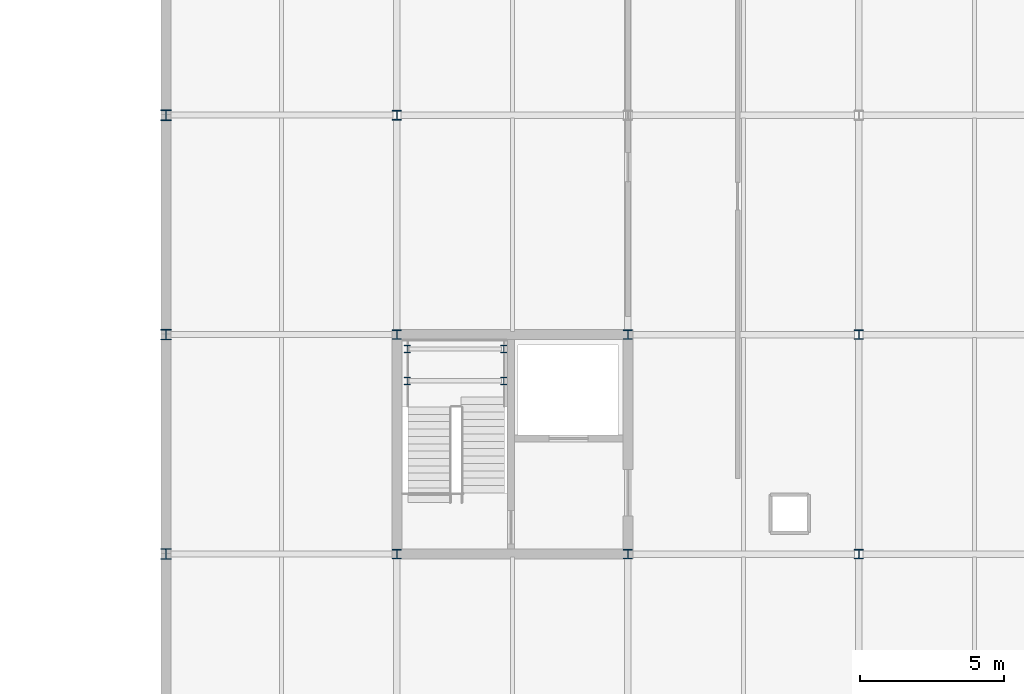
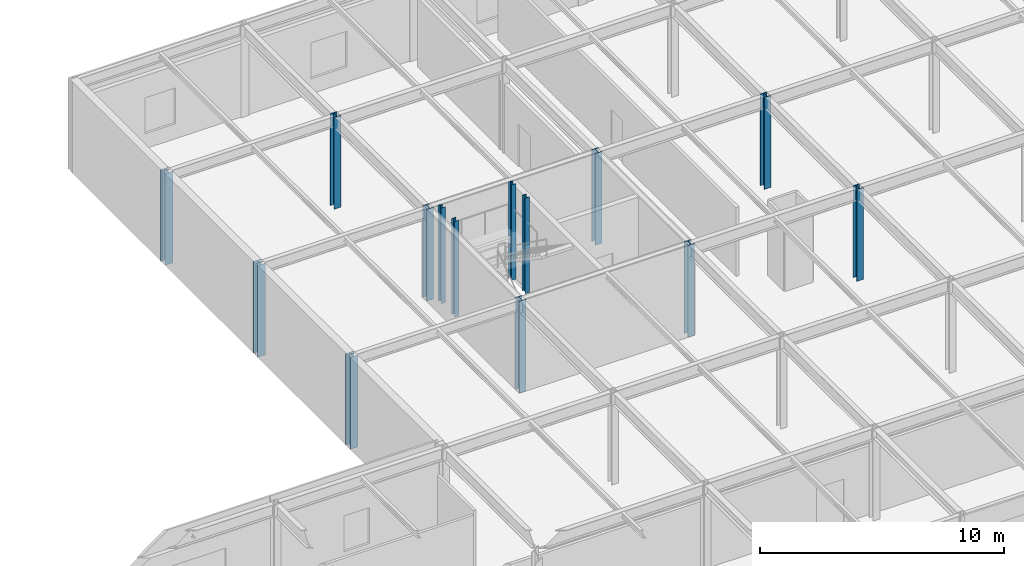
# One storey, part 12 of 100: 14 columns.
"""IFC4 building model written with IfcOpenShell, lengths in metres."""

from ifc_helpers import new_model, si_unit, direction, frame, origin, origin_2d, place, context, subcontext, project, spatial, i_section, extrude, material, material_profile, profile_set, type_object, element, save


model = new_model("IFC4")

# Units and contexts
model_context = context("Model", 3, precision=1e-05, world=origin(), true_north=direction((0.0, 1.0)))
body_context = subcontext(model_context, "Body", "Model", "MODEL_VIEW")
ifc_project = project(units=[si_unit("LENGTHUNIT", "METRE"), si_unit("AREAUNIT", "SQUARE_METRE"), si_unit("VOLUMEUNIT", "CUBIC_METRE"), si_unit("PLANEANGLEUNIT", "RADIAN"), si_unit("MASSUNIT", "GRAM", prefix="KILO")], contexts=[model_context])

# Site, building, storey
site_placement = place(None, origin())
site = spatial("IfcSite", under=ifc_project, at=site_placement, CompositionType="ELEMENT")
building_placement = place(site_placement, origin())
building = spatial("IfcBuilding", under=site, at=building_placement, Name="Zulena Civic Courthouse", CompositionType="ELEMENT")
storey_placement = place(building_placement, frame((0.0, 0.0, 20.39990234375)))
storey = spatial("IfcBuildingStorey", under=building, at=storey_placement, Name="L04", CompositionType="ELEMENT", Elevation=20.39990234375)

# Columns
ifc_material = material(Name="Steel ASTM A992 Grade 50", Category="steel")
ifc_material_profile_1 = material_profile(ifc_material, i_section(OverallWidth=0.2041015625, OverallDepth=0.257080078125, WebThickness=0.0087890625, FlangeThickness=0.015625, FilletRadius=0.0126953125, at=origin_2d()), Name="W10X45")
ifc_profile_set_1 = profile_set([ifc_material_profile_1], Name="Steel ASTM A992 Grade 50")
column_type_1 = type_object("IfcColumnType", Name="Col_W10X45", PredefinedType="COLUMN", material=ifc_profile_set_1)
for number, where, z_axis, x_axis, name in (
    (1, (76.360107421875, 74.39990234375, 0.0), (0.0, 0.0, 1.0), (1.0, 0.0, 0.0), "col:lnd:K5B:L04:0:0"),
    (2, (79.699951171875, 74.39990234375, 0.0), (0.0, 0.0, 1.0), (1.0, 0.0, 0.0), "col:lnd:K5B:L04:0:1"),
    (3, (76.360107421875, 75.5, 0.0), (0.0, 0.0, 1.0), (1.0, 0.0, 0.0), "col:lnd:K5B:L04:1:0"),
    (4, (79.699951171875, 75.5, 0.0), (0.0, 0.0, 1.0), (1.0, 0.0, 0.0), "col:lnd:K5B:L04:1:1"),
):
    element("IfcColumn", number, at=place(storey_placement, frame(where, z_axis=z_axis, x_axis=x_axis)), inside=storey, type_object=column_type_1, Name=name, PredefinedType="COLUMN", context=body_context, shape_type="SweptSolid", body=[
        extrude(i_section(OverallWidth=0.2041015625, OverallDepth=0.257080078125, WebThickness=0.0087890625, FlangeThickness=0.015625, FilletRadius=0.0126953125, at=origin_2d()), origin(), (0.0, 0.0, 1.0), 4.795166015625),
    ])
ifc_material_profile_2 = material_profile(ifc_material, i_section(OverallWidth=0.31298828125, OverallDepth=0.3330078125, WebThickness=0.01806640625, FlangeThickness=0.0283203125, FilletRadius=0.01513671875, at=origin_2d()), Name="W12X120")
ifc_profile_set_2 = profile_set([ifc_material_profile_2], Name="Steel ASTM A992 Grade 50")
column_type_2 = type_object("IfcColumnType", Name="Col_W12X120", PredefinedType="COLUMN", material=ifc_profile_set_2)
for number, where, z_axis, x_axis, name in (
    (5, (76.0, 68.39990234375, 0.0), (0.0, 0.0, 1.0), (1.0, 0.0, 0.0), "col:V5:L04:76.0:68.4"),
    (6, (76.0, 76.0, 0.0), (0.0, 0.0, 1.0), (1.0, 0.0, 0.0), "col:V5:L04:76.0:76.0"),
    (7, (76.0, 83.60009765625, 0.0), (0.0, 0.0, 1.0), (1.0, 0.0, 0.0), "col:V5:L04:76.0:83.6"),
    (8, (84.0, 68.39990234375, 0.0), (0.0, 0.0, 1.0), (1.0, 0.0, 0.0), "col:V5:L04:84.0:68.4"),
    (9, (84.0, 76.0, 0.0), (0.0, 0.0, 1.0), (1.0, 0.0, 0.0), "col:V5:L04:84.0:76.0"),
    (10, (92.0, 68.39990234375, 0.0), (0.0, 0.0, 1.0), (1.0, 0.0, 0.0), "col:V5:L04:92.0:68.4"),
    (11, (92.0, 76.0, 0.0), (0.0, 0.0, 1.0), (1.0, 0.0, 0.0), "col:V5:L04:92.0:76.0"),
):
    element("IfcColumn", number, at=place(storey_placement, frame(where, z_axis=z_axis, x_axis=x_axis)), inside=storey, type_object=column_type_2, Name=name, PredefinedType="COLUMN", context=body_context, shape_type="SweptSolid", body=[
        extrude(i_section(OverallWidth=0.31298828125, OverallDepth=0.3330078125, WebThickness=0.01806640625, FlangeThickness=0.0283203125, FilletRadius=0.01513671875, at=origin_2d()), origin(), (0.0, 0.0, 1.0), 4.59521484375),
    ])
ifc_material_profile_3 = material_profile(ifc_material, i_section(OverallWidth=0.373046875, OverallDepth=0.367919921875, WebThickness=0.014892578125, FlangeThickness=0.02392578125, FilletRadius=0.01513671875, at=origin_2d()), Name="W14X120")
ifc_profile_set_3 = profile_set([ifc_material_profile_3], Name="Steel ASTM A992 Grade 50")
column_type_3 = type_object("IfcColumnType", Name="Col_W14X120", PredefinedType="COLUMN", material=ifc_profile_set_3)
for number, where, z_axis, x_axis, name in (
    (12, (68.0, 68.39990234375, 0.0), (0.0, 0.0, 1.0), (1.0, 0.0, 0.0), "col:V5:L04:68.0:68.4"),
    (13, (68.0, 76.0, 0.0), (0.0, 0.0, 1.0), (1.0, 0.0, 0.0), "col:V5:L04:68.0:76.0"),
    (14, (68.0, 83.60009765625, 0.0), (0.0, 0.0, 1.0), (1.0, 0.0, 0.0), "col:V5:L04:68.0:83.6"),
):
    element("IfcColumn", number, at=place(storey_placement, frame(where, z_axis=z_axis, x_axis=x_axis)), inside=storey, type_object=column_type_3, Name=name, PredefinedType="COLUMN", context=body_context, shape_type="SweptSolid", body=[
        extrude(i_section(OverallWidth=0.373046875, OverallDepth=0.367919921875, WebThickness=0.014892578125, FlangeThickness=0.02392578125, FilletRadius=0.01513671875, at=origin_2d()), origin(), (0.0, 0.0, 1.0), 4.59521484375),
    ])

save(model, "model.ifc")
